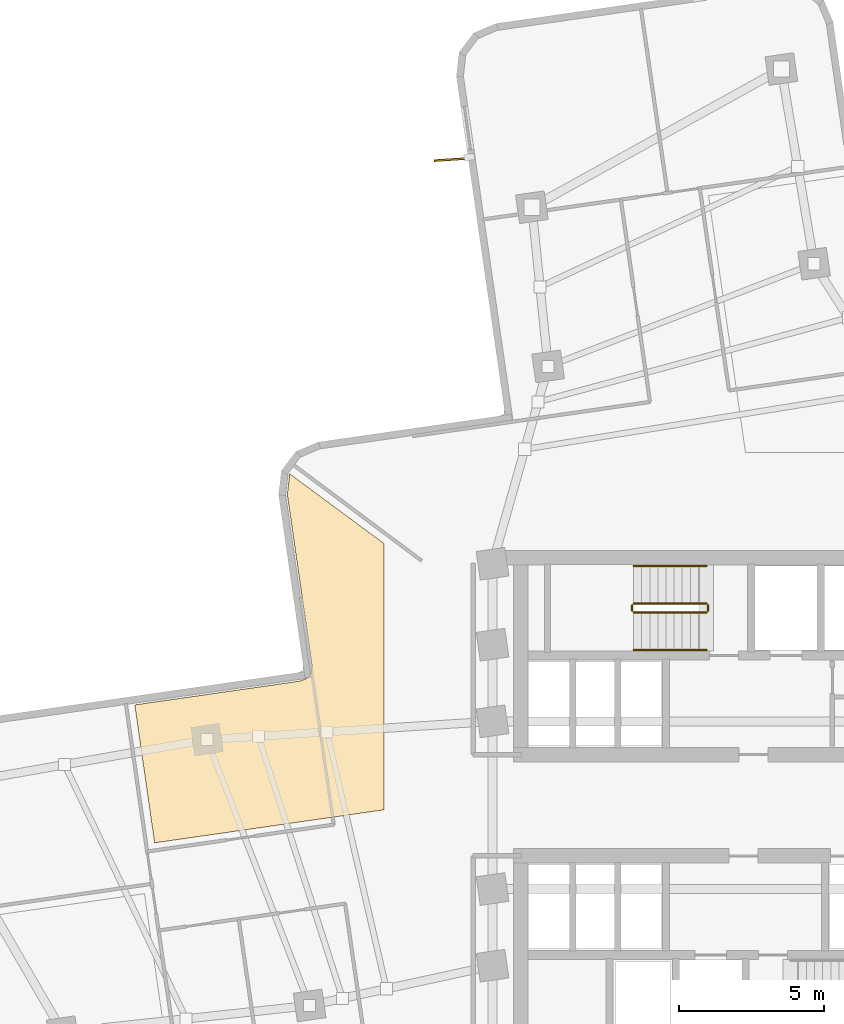
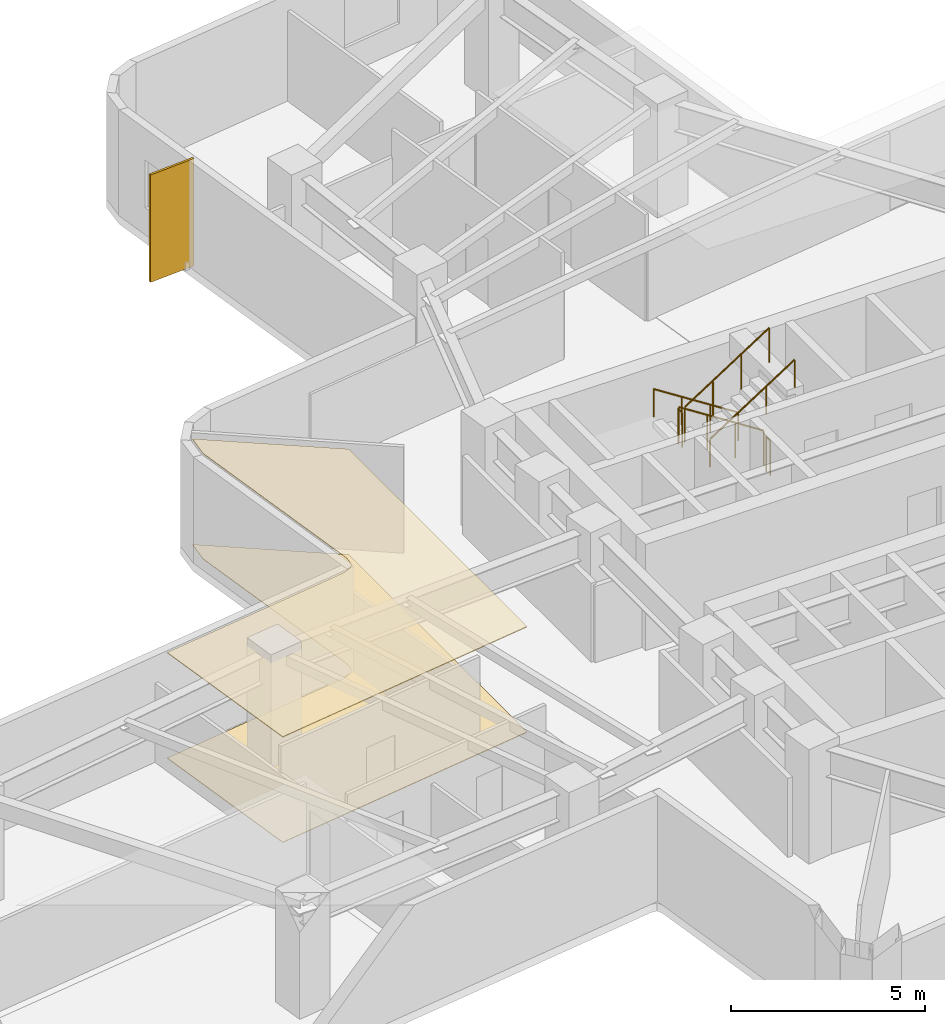
# One storey, part 9 of 10: 6 railings, 2 coverings, 1 shading device.
"""IFC4 building model written with IfcOpenShell, lengths in metres."""

from ifc_helpers import new_model, si_unit, direction, frame, origin, origin_2d, place, context, subcontext, project, spatial, polyline, rectangle, circle, outline, extrude, material, layer, layer_set, type_object, element, save


model = new_model("IFC4")

# Units and contexts
model_context = context("Model", 3, precision=1e-05, world=origin(), true_north=direction((0.0, 1.0)))
body_context = subcontext(model_context, "Body", "Model", "MODEL_VIEW")
ifc_project = project(units=[si_unit("LENGTHUNIT", "METRE"), si_unit("AREAUNIT", "SQUARE_METRE"), si_unit("VOLUMEUNIT", "CUBIC_METRE"), si_unit("PLANEANGLEUNIT", "RADIAN"), si_unit("MASSUNIT", "GRAM", prefix="KILO")], contexts=[model_context])

# Site, building, storey
site_placement = place(None, origin())
site = spatial("IfcSite", under=ifc_project, at=site_placement, CompositionType="ELEMENT")
building_placement = place(site_placement, origin())
building = spatial("IfcBuilding", under=site, at=building_placement, Name="Solmarez Civic Tower", CompositionType="ELEMENT")
storey_placement = place(building_placement, frame((0.0, 0.0, 85.679931640625)))
storey = spatial("IfcBuildingStorey", under=building, at=storey_placement, Name="L22", CompositionType="ELEMENT", Elevation=85.679931640625)

# Coverings
ifc_material_1 = material(Name="Perforated Mineral-Fibre Acoustic Ceiling")
ifc_layer_1 = layer(ifc_material_1, 0.02490234375)
ifc_layer_set_1 = layer_set([ifc_layer_1], Name="Perforated Mineral-Fibre Acoustic Ceiling")
covering_type_1 = type_object("IfcCoveringType", Name="COV-CEIL-ACOUSTIC", PredefinedType="CEILING", material=ifc_layer_set_1)
covering_1_placement = place(storey_placement, frame((0.0, 0.0, 3.315185546875)))
element("IfcCovering", 1, at=covering_1_placement, inside=storey, type_object=covering_type_1, Name="L22 Suspended Acoustic Ceiling 3", PredefinedType="CEILING", context=body_context, shape_type="SweptSolid", body=[
    extrude(outline(polyline([(-15.1630859375, 4.492919921875), (-15.173095703125, 4.47607421875), (-15.18505859375, 4.4609375), (-15.197998046875, 4.446044921875), (-15.202880859375, 4.44091796875), (-15.218017578125, 4.427978515625), (-15.22412109375, 4.423095703125), (-15.22998046875, 4.41796875), (-15.2490234375, 4.404052734375), (-15.2548828125, 4.39990234375), (-15.27197265625, 4.389892578125), (-15.2900390625, 4.381103515625), (-15.297119140625, 4.3779296875), (-15.455078125, 4.31005859375), (-15.48193359375, 4.300048828125), (-15.491943359375, 4.297119140625), (-15.510986328125, 4.2919921875), (-15.531005859375, 4.2880859375), (-21.221923828125, 3.468994140625), (-20.534912109375, -1.302001953125), (-12.60009765625, -0.158935546875), (-12.60009765625, 9.044921875), (-15.85791015625, 11.455078125), (-15.862060546875, 11.449951171875), (-15.946044921875, 10.74609375), (-15.097900390625, 4.866943359375), (-15.096923828125, 4.85302734375), (-15.094970703125, 4.83203125), (-15.094970703125, 4.81201171875), (-15.097900390625, 4.787109375), (-15.116943359375, 4.617919921875), (-15.123046875, 4.591064453125), (-15.125, 4.5830078125), (-15.1259765625, 4.575927734375), (-15.1279296875, 4.569091796875), (-15.1298828125, 4.56201171875), (-15.138916015625, 4.537109375), (-15.15087890625, 4.512939453125), (-15.155029296875, 4.506103515625), (-15.1630859375, 4.492919921875)])), origin(), (0.0, 0.0, 1.0), 0.02490234375),
])
ifc_material_2 = material(Name="Polished Tropical Stone Terrazzo Flooring", Category="masonry")
ifc_layer_2 = layer(ifc_material_2, 0.02001953125)
ifc_layer_set_2 = layer_set([ifc_layer_2], Name="Polished Tropical Stone Terrazzo Flooring")
covering_type_2 = type_object("IfcCoveringType", Name="COV-FLOOR-TERRAZZO", PredefinedType="FLOORING", material=ifc_layer_set_2)
covering_2_placement = place(storey_placement, origin())
element("IfcCovering", 2, at=covering_2_placement, inside=storey, type_object=covering_type_2, Name="L22 Terrazzo Floor Finish 3", PredefinedType="FLOORING", context=body_context, shape_type="SweptSolid", body=[
    extrude(outline(polyline([(-15.1630859375, 4.492919921875), (-15.173095703125, 4.47607421875), (-15.18505859375, 4.4609375), (-15.197998046875, 4.446044921875), (-15.202880859375, 4.44091796875), (-15.218017578125, 4.427978515625), (-15.22412109375, 4.423095703125), (-15.22998046875, 4.41796875), (-15.2490234375, 4.404052734375), (-15.2548828125, 4.39990234375), (-15.27197265625, 4.389892578125), (-15.2900390625, 4.381103515625), (-15.297119140625, 4.3779296875), (-15.455078125, 4.31005859375), (-15.48193359375, 4.300048828125), (-15.491943359375, 4.297119140625), (-15.510986328125, 4.2919921875), (-15.531005859375, 4.2880859375), (-21.221923828125, 3.468994140625), (-20.534912109375, -1.302001953125), (-12.60009765625, -0.158935546875), (-12.60009765625, 9.044921875), (-15.85791015625, 11.455078125), (-15.862060546875, 11.449951171875), (-15.946044921875, 10.74609375), (-15.097900390625, 4.866943359375), (-15.096923828125, 4.85302734375), (-15.094970703125, 4.83203125), (-15.094970703125, 4.81201171875), (-15.097900390625, 4.787109375), (-15.116943359375, 4.617919921875), (-15.123046875, 4.591064453125), (-15.125, 4.5830078125), (-15.1259765625, 4.575927734375), (-15.1279296875, 4.569091796875), (-15.1298828125, 4.56201171875), (-15.138916015625, 4.537109375), (-15.15087890625, 4.512939453125), (-15.155029296875, 4.506103515625), (-15.1630859375, 4.492919921875)])), origin(), (0.0, 0.0, 1.0), 0.02001953125),
])

# Shading device
ifc_material_3 = material(Name="Bronze Anodised Aluminium EN AW-6063 T6", Category="aluminium")
ifc_layer_3 = layer(ifc_material_3, 0.06494140625)
ifc_layer_set_3 = layer_set([ifc_layer_3], Name="Bronze Anodised Aluminium EN AW-6063 T6")
shading_device_type = type_object("IfcShadingDeviceType", Name="FIN-BRONZE-Z12", PredefinedType="USERDEFINED", material=ifc_layer_set_3)
shading_device_placement = place(storey_placement, frame((-10.194091796875, 22.3349609375, -0.039794921875), z_axis=(0.0, 0.0, 1.0), x_axis=(-0.997804937018, -0.066221655546, 0.0)))
element("IfcShadingDevice", 3, at=shading_device_placement, inside=storey, type_object=shading_device_type, Name="L22 Anodised Bronze Solar Fin FIN-L22-04", ObjectType="FIN", PredefinedType="USERDEFINED", context=body_context, shape_type="SweptSolid", body=[
    extrude(rectangle(XDim=1.35009765625, YDim=0.06494140625, at=origin_2d()), origin(), (0.0, 0.0, 1.0), 3.3798828125),
])

# Railings
ifc_material_4 = material(Name="Painted Steel Stairwell Safety Guard", Category="steel")
railing_type_1 = type_object("IfcRailingType", Name="GUARD-STAIR-1120", PredefinedType="BALUSTRADE", material=ifc_material_4)
railing_1_placement = place(storey_placement, frame((-1.449951171875, 6.969970703125, 0.18017578125)))
element("IfcRailing", 4, at=railing_1_placement, inside=storey, type_object=railing_type_1, Name="L22 ST-1 stair guard 1", PredefinedType="BALUSTRADE", context=body_context, shape_type="SweptSolid", body=[
    extrude(circle(Radius=0.02392578125, at=origin_2d()), frame((0.0, 0.0, 1.09619140625), z_axis=(-0.841199657755, 0.0, 0.540724639528), x_axis=(0.0, -1.0, 0.0)), (0.0, 0.0, 1.0), 2.995849609375),
    extrude(circle(Radius=0.02099609375, at=origin_2d()), origin(), (0.0, 0.0, 1.0), 1.072021484375),
    extrude(circle(Radius=0.02099609375, at=origin_2d()), frame((-0.840087890625, 0.0, 0.5400390625)), (0.0, 0.0, 1.0), 1.072021484375),
    extrude(circle(Radius=0.02099609375, at=origin_2d()), frame((-1.679931640625, 0.0, 1.079833984375)), (0.0, 0.0, 1.0), 1.072021484375),
    extrude(circle(Radius=0.02099609375, at=origin_2d()), frame((-2.52001953125, 0.0, 1.619873046875)), (0.0, 0.0, 1.0), 1.072021484375),
])
railing_2_placement = place(storey_placement, frame((-4.02001953125, 6.919921875, 1.800048828125)))
element("IfcRailing", 5, at=railing_2_placement, inside=storey, type_object=railing_type_1, Name="L22 ST-1 stair guard 2", PredefinedType="BALUSTRADE", context=body_context, shape_type="SweptSolid", body=[
    extrude(circle(Radius=0.02392578125, at=origin_2d()), frame((0.0, 0.0, 1.09619140625), z_axis=(0.0, -1.0, 0.0), x_axis=(1.0, 0.0, 0.0)), (0.0, 0.0, 1.0), 0.199951171875),
    extrude(circle(Radius=0.02099609375, at=origin_2d()), origin(), (0.0, 0.0, 1.0), 1.072021484375),
    extrude(circle(Radius=0.02099609375, at=origin_2d()), frame((0.0, -0.199951171875, 0.0)), (0.0, 0.0, 1.0), 1.072021484375),
])
railing_3_placement = place(storey_placement, frame((-3.969970703125, 6.669921875, 1.97998046875)))
element("IfcRailing", 6, at=railing_3_placement, inside=storey, type_object=railing_type_1, Name="L22 ST-1 stair guard 3", PredefinedType="BALUSTRADE", context=body_context, shape_type="SweptSolid", body=[
    extrude(circle(Radius=0.02392578125, at=origin_2d()), frame((0.0, 0.0, 1.09619140625), z_axis=(0.841162588446, 0.0, 0.540782303519), x_axis=(0.0, 1.0, 0.0)), (0.0, 0.0, 1.0), 2.995849609375),
    extrude(circle(Radius=0.02099609375, at=origin_2d()), origin(), (0.0, 0.0, 1.0), 1.072021484375),
    extrude(circle(Radius=0.02099609375, at=origin_2d()), frame((0.840087890625, 0.0, 0.5400390625)), (0.0, 0.0, 1.0), 1.072021484375),
    extrude(circle(Radius=0.02099609375, at=origin_2d()), frame((1.679931640625, 0.0, 1.080078125)), (0.0, 0.0, 1.0), 1.072021484375),
    extrude(circle(Radius=0.02099609375, at=origin_2d()), frame((2.52001953125, 0.0, 1.6201171875)), (0.0, 0.0, 1.0), 1.072021484375),
])
railing_4_placement = place(storey_placement, frame((-1.39990234375, 6.919921875, 0.0)))
element("IfcRailing", 7, at=railing_4_placement, inside=storey, type_object=railing_type_1, Name="L22 ST-1 stair guard 4", PredefinedType="BALUSTRADE", context=body_context, shape_type="SweptSolid", body=[
    extrude(circle(Radius=0.02392578125, at=origin_2d()), frame((0.0, 0.0, 1.09619140625), z_axis=(0.0, -1.0, 0.0), x_axis=(1.0, 0.0, 0.0)), (0.0, 0.0, 1.0), 0.199951171875),
    extrude(circle(Radius=0.02099609375, at=origin_2d()), origin(), (0.0, 0.0, 1.0), 1.072021484375),
    extrude(circle(Radius=0.02099609375, at=origin_2d()), frame((0.0, -0.199951171875, 0.0)), (0.0, 0.0, 1.0), 1.072021484375),
])
ifc_material_5 = material(Name="Brushed Stainless Steel Tube Handrail", Category="steel")
railing_type_2 = type_object("IfcRailingType", Name="HANDRAIL-STAIR-900", PredefinedType="HANDRAIL", material=ifc_material_5)
railing_5_placement = place(storey_placement, frame((-1.449951171875, 8.27001953125, 0.18017578125)))
element("IfcRailing", 8, at=railing_5_placement, inside=storey, type_object=railing_type_2, Name="L22 ST-1 stair handrail 1", PredefinedType="HANDRAIL", context=body_context, shape_type="SweptSolid", body=[
    extrude(circle(Radius=0.02392578125, at=origin_2d()), frame((0.0, 0.0, 0.8759765625), z_axis=(-0.841199657755, 0.0, 0.540724639528), x_axis=(0.0, -1.0, 0.0)), (0.0, 0.0, 1.0), 2.995849609375),
    extrude(circle(Radius=0.02099609375, at=origin_2d()), origin(), (0.0, 0.0, 1.0), 0.851806640625),
    extrude(circle(Radius=0.02099609375, at=origin_2d()), frame((-0.840087890625, 0.0, 0.5400390625)), (0.0, 0.0, 1.0), 0.851806640625),
    extrude(circle(Radius=0.02099609375, at=origin_2d()), frame((-1.679931640625, 0.0, 1.079833984375)), (0.0, 0.0, 1.0), 0.851806640625),
    extrude(circle(Radius=0.02099609375, at=origin_2d()), frame((-2.52001953125, 0.0, 1.619873046875)), (0.0, 0.0, 1.0), 0.851806640625),
])
railing_6_placement = place(storey_placement, frame((-3.969970703125, 5.3701171875, 1.97998046875)))
element("IfcRailing", 9, at=railing_6_placement, inside=storey, type_object=railing_type_2, Name="L22 ST-1 stair handrail 2", PredefinedType="HANDRAIL", context=body_context, shape_type="SweptSolid", body=[
    extrude(circle(Radius=0.02392578125, at=origin_2d()), frame((0.0, 0.0, 0.8759765625), z_axis=(0.841162588446, 0.0, 0.540782303519), x_axis=(0.0, 1.0, 0.0)), (0.0, 0.0, 1.0), 2.995849609375),
    extrude(circle(Radius=0.02099609375, at=origin_2d()), origin(), (0.0, 0.0, 1.0), 0.851806640625),
    extrude(circle(Radius=0.02099609375, at=origin_2d()), frame((0.840087890625, 0.0, 0.5400390625)), (0.0, 0.0, 1.0), 0.851806640625),
    extrude(circle(Radius=0.02099609375, at=origin_2d()), frame((1.679931640625, 0.0, 1.080078125)), (0.0, 0.0, 1.0), 0.851806640625),
    extrude(circle(Radius=0.02099609375, at=origin_2d()), frame((2.52001953125, 0.0, 1.6201171875)), (0.0, 0.0, 1.0), 0.851806640625),
])

save(model, "model.ifc")
